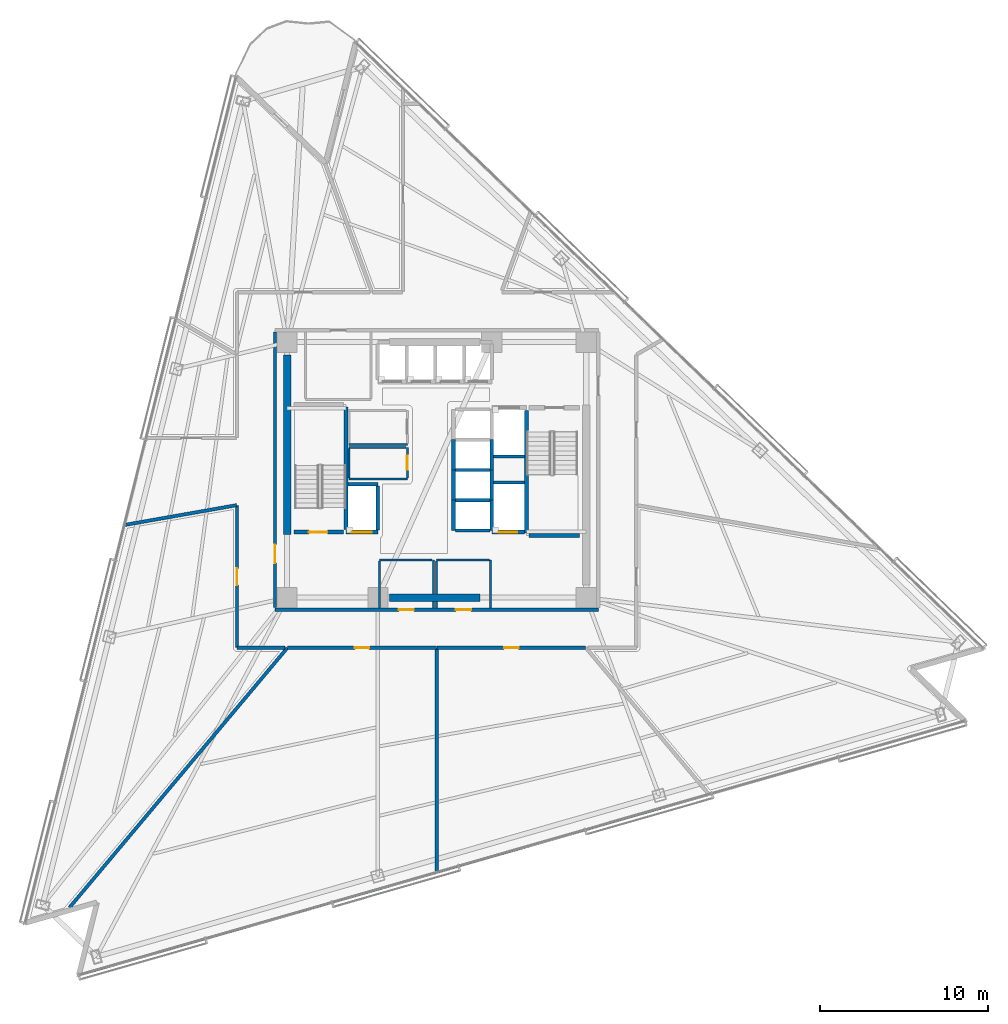
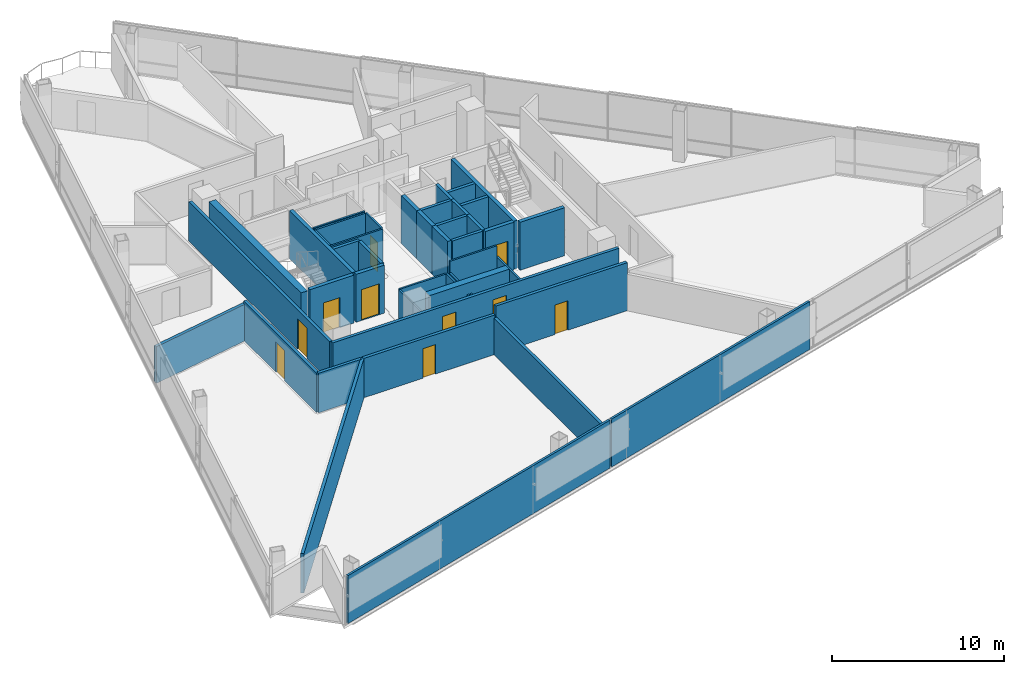
# One storey, part 9 of 19: 45 walls, 10 doors, 10 openings.
"""IFC4 building model written with IfcOpenShell, lengths in metres."""

from ifc_helpers import new_model, si_unit, direction, frame, frame_2d, origin, place, context, subcontext, project, spatial, rectangle, extrude, material, layer, layer_set, type_object, element, fill, save


model = new_model("IFC4")

# Units and contexts
model_context = context("Model", 3, precision=1e-05, world=origin(), true_north=direction((0.0, 1.0)))
body_context = subcontext(model_context, "Body", "Model", "MODEL_VIEW")
ifc_project = project(units=[si_unit("LENGTHUNIT", "METRE"), si_unit("AREAUNIT", "SQUARE_METRE"), si_unit("VOLUMEUNIT", "CUBIC_METRE"), si_unit("PLANEANGLEUNIT", "RADIAN"), si_unit("MASSUNIT", "GRAM", prefix="KILO")], contexts=[model_context])

# Site, building, storey
site_placement = place(None, origin())
site = spatial("IfcSite", under=ifc_project, at=site_placement, CompositionType="ELEMENT")
building_placement = place(site_placement, origin())
building = spatial("IfcBuilding", under=site, at=building_placement, Name="Tharavind Bronze Gate", CompositionType="ELEMENT")
storey_placement = place(building_placement, frame((0.0, 0.0, 89.699951171875)))
storey = spatial("IfcBuildingStorey", under=building, at=storey_placement, Name="L22", CompositionType="ELEMENT", Elevation=89.699951171875)

# Wall, openings, doors
ifc_material_1 = material(Name="Aerated Concrete Block", Category="concrete")
ifc_layer_1 = layer(ifc_material_1, 0.199951171875)
ifc_layer_set_1 = layer_set([ifc_layer_1], Name="Aerated Concrete Block")
wall_type_1 = type_object("IfcWallType", Name="FIRE RATED PARTITION 200", PredefinedType="PARTITIONING", material=ifc_layer_set_1)
wall_1_placement = place(storey_placement, frame((-9.6201171875, -8.320068359375, 0.0), z_axis=(0.0, 0.0, 1.0), x_axis=(1.0, 0.0, 0.0)))
wall_1 = element("IfcWall", 1, at=wall_1_placement, inside=storey, type_object=wall_type_1, Name="L22 south core corridor wall", PredefinedType="PARTITIONING", context=body_context, shape_type="SweptSolid", body=[
    extrude(rectangle(XDim=19.240234375, YDim=0.199951171875, at=frame_2d((9.6201171875, 0.0))), origin(), (0.0, 0.0, 1.0), 2.804931640625),
])
opening_1_placement = place(wall_1_placement, frame((7.3701171875, 0.0, 0.0)))
opening_1 = element("IfcOpeningElement", 2, at=opening_1_placement, cuts=wall_1, Name="Opening ID07", PredefinedType="OPENING", context=body_context, shape_type="SweptSolid", body=[
    extrude(rectangle(XDim=0.89990234375, YDim=2.10009765625, at=frame_2d((0.449951171875, 1.050048828125))), frame((0.0, 0.11009765625, 0.0), z_axis=(0.0, -1.0, 0.0), x_axis=(1.0, 0.0, 0.0)), (0.0, 0.0, 1.0), 0.219951171875),
])
opening_2_placement = place(wall_1_placement, frame((10.77001953125, 0.0, 0.0)))
opening_2 = element("IfcOpeningElement", 3, at=opening_2_placement, cuts=wall_1, Name="Opening ID07", PredefinedType="OPENING", context=body_context, shape_type="SweptSolid", body=[
    extrude(rectangle(XDim=0.89990234375, YDim=2.10009765625, at=frame_2d((0.449951171875, 1.050048828125))), frame((0.0, 0.11009765625, 0.0), z_axis=(0.0, -1.0, 0.0), x_axis=(1.0, 0.0, 0.0)), (0.0, 0.0, 1.0), 0.219951171875),
])
ifc_material_2 = material(Name="Galvanised Fire Steel", Category="steel")
door_type_1 = type_object("IfcDoorType", Name="PLANT AND RISER FIRE DOOR 900X2100", OperationType="SINGLE_SWING_LEFT", PredefinedType="DOOR", material=ifc_material_2)
door_1_placement = place(opening_1_placement, frame((0.89990234375, 0.0, 0.0), z_axis=(0.0, 0.0, 1.0), x_axis=(-1.0, 0.0, 0.0)))
door_1 = element("IfcDoor", 4, at=door_1_placement, inside=storey, type_object=door_type_1, Name="L22 Core Archive Store fire door", OperationType="SINGLE_SWING_LEFT", OverallHeight=2.10009765625, OverallWidth=0.89990234375, PredefinedType="DOOR", context=body_context, shape_type="SweptSolid", body=[
    extrude(rectangle(XDim=0.89990234375, YDim=2.10009765625, at=frame_2d((0.449951171875, 1.050048828125))), frame((0.0, 0.02490234375, 0.0), z_axis=(0.0, -1.0, 0.0), x_axis=(1.0, 0.0, 0.0)), (0.0, 0.0, 1.0), 0.050048828125),
])
fill(opening_1, door_1)
door_2_placement = place(opening_2_placement, frame((0.89990234375, 0.0, 0.0), z_axis=(0.0, 0.0, 1.0), x_axis=(-1.0, 0.0, 0.0)))
door_2 = element("IfcDoor", 5, at=door_2_placement, inside=storey, type_object=door_type_1, Name="L22 Core Server Room fire door", OperationType="SINGLE_SWING_LEFT", OverallHeight=2.10009765625, OverallWidth=0.89990234375, PredefinedType="DOOR", context=body_context, shape_type="SweptSolid", body=[
    extrude(rectangle(XDim=0.89990234375, YDim=2.10009765625, at=frame_2d((0.449951171875, 1.050048828125))), frame((0.0, 0.02490234375, 0.0), z_axis=(0.0, -1.0, 0.0), x_axis=(1.0, 0.0, 0.0)), (0.0, 0.0, 1.0), 0.050048828125),
])
fill(opening_2, door_2)

# Wall, opening, door
wall_2_placement = place(storey_placement, frame((-9.6201171875, 8.199951171875, 0.0), z_axis=(0.0, 0.0, 1.0), x_axis=(0.0, -1.0, 0.0)))
wall_2 = element("IfcWall", 6, at=wall_2_placement, inside=storey, type_object=wall_type_1, Name="L22 west core corridor wall", PredefinedType="PARTITIONING", context=body_context, shape_type="SweptSolid", body=[
    extrude(rectangle(XDim=16.39990234375, YDim=0.199951171875, at=frame_2d((8.199951171875, 0.0))), origin(), (0.0, 0.0, 1.0), 2.804931640625),
])
opening_3_placement = place(wall_2_placement, frame((12.64990234375, 0.0, 0.0)))
opening_3 = element("IfcOpeningElement", 7, at=opening_3_placement, cuts=wall_2, Name="Opening ID01", PredefinedType="OPENING", context=body_context, shape_type="SweptSolid", body=[
    extrude(rectangle(XDim=1.10009765625, YDim=2.14990234375, at=frame_2d((0.550048828125, 1.074951171875))), frame((0.0, 0.11009765625, 0.0), z_axis=(0.0, -1.0, 0.0), x_axis=(1.0, 0.0, 0.0)), (0.0, 0.0, 1.0), 0.219951171875),
])
ifc_material_3 = material(Name="Fire-Rated Steel", Category="steel")
door_type_2 = type_object("IfcDoorType", Name="STAIR CORE FIRE DOOR 1100X2150", OperationType="SINGLE_SWING_LEFT", PredefinedType="DOOR", material=ifc_material_3)
door_3_placement = place(opening_3_placement, frame((1.10009765625, 0.0, 0.0), z_axis=(0.0, 0.0, 1.0), x_axis=(-1.0, 0.0, 0.0)))
door_3 = element("IfcDoor", 8, at=door_3_placement, inside=storey, type_object=door_type_2, Name="L22 south west stair lobby fire door", OperationType="SINGLE_SWING_LEFT", OverallHeight=2.14990234375, OverallWidth=1.10009765625, PredefinedType="DOOR", context=body_context, shape_type="SweptSolid", body=[
    extrude(rectangle(XDim=1.10009765625, YDim=2.14990234375, at=frame_2d((0.550048828125, 1.074951171875))), frame((0.0, 0.02490234375, 0.0), z_axis=(0.0, -1.0, 0.0), x_axis=(1.0, 0.0, 0.0)), (0.0, 0.0, 1.0), 0.050048828125),
])
fill(opening_3, door_3)

# Wall
wall_3_placement = place(storey_placement, frame((-21.8564453125, -26.04736328125, 0.0), z_axis=(0.0, 0.0, 1.0), x_axis=(0.642786825555, 0.766045101082, 0.0)))
element("IfcWall", 9, at=wall_3_placement, inside=storey, type_object=wall_type_1, Name="L22 Public Restrooms Block partition", PredefinedType="PARTITIONING", context=body_context, shape_type="SweptSolid", body=[
    extrude(rectangle(XDim=20.1796875, YDim=0.199951171875, at=frame_2d((10.08984375, 0.0))), origin(), (0.0, 0.0, 1.0), 2.804931640625),
])

# Wall, opening, door
wall_4_placement = place(storey_placement, frame((-8.865966796875, -10.580078125, 0.0), z_axis=(0.0, 0.0, 1.0), x_axis=(1.0, 0.0, 0.0)))
wall_4 = element("IfcWall", 10, at=wall_4_placement, inside=storey, type_object=wall_type_1, Name="L22 Public Restrooms Block partition", PredefinedType="PARTITIONING", context=body_context, shape_type="SweptSolid", body=[
    extrude(rectangle(XDim=8.841064453125, YDim=0.199951171875, at=frame_2d((4.42041015625, 0.0))), origin(), (0.0, 0.0, 1.0), 2.804931640625),
])
opening_4_placement = place(wall_4_placement, frame((3.9951171875, 0.0, 0.0)))
opening_4 = element("IfcOpeningElement", 11, at=opening_4_placement, cuts=wall_4, Name="Opening ID06", PredefinedType="OPENING", context=body_context, shape_type="SweptSolid", body=[
    extrude(rectangle(XDim=0.85009765625, YDim=2.10009765625, at=frame_2d((0.425048828125, 1.050048828125))), frame((0.0, 0.11009765625, 0.0), z_axis=(0.0, -1.0, 0.0), x_axis=(1.0, 0.0, 0.0)), (0.0, 0.0, 1.0), 0.219951171875),
])
ifc_material_4 = material(Name="Moisture-Resistant Timber", Category="wood")
door_type_3 = type_object("IfcDoorType", Name="BATHROOM PRIVACY DOOR 850X2100", OperationType="SINGLE_SWING_RIGHT", PredefinedType="DOOR", material=ifc_material_4)
door_4_placement = place(opening_4_placement, origin())
door_4 = element("IfcDoor", 12, at=door_4_placement, inside=storey, type_object=door_type_3, Name="L22 Public Restrooms Block door", OperationType="SINGLE_SWING_RIGHT", OverallHeight=2.10009765625, OverallWidth=0.85009765625, PredefinedType="DOOR", context=body_context, shape_type="SweptSolid", body=[
    extrude(rectangle(XDim=0.85009765625, YDim=2.10009765625, at=frame_2d((0.425048828125, 1.050048828125))), frame((0.0, 0.02490234375, 0.0), z_axis=(0.0, -1.0, 0.0), x_axis=(1.0, 0.0, 0.0)), (0.0, 0.0, 1.0), 0.050048828125),
])
fill(opening_4, door_4)

# Wall
wall_5_placement = place(storey_placement, frame((0.0, -10.60498046875, 0.0), z_axis=(0.0, 0.0, 1.0), x_axis=(0.0, -1.0, 0.0)))
element("IfcWall", 13, at=wall_5_placement, inside=storey, type_object=wall_type_1, Name="L22 Public Restrooms Block partition", PredefinedType="PARTITIONING", context=body_context, shape_type="SweptSolid", body=[
    extrude(rectangle(XDim=13.317626953125, YDim=0.199951171875, at=frame_2d((6.65869140625, 0.0))), origin(), (0.0, 0.0, 1.0), 2.60498046875),
])

# Wall, opening, door
wall_6_placement = place(storey_placement, frame((0.02490234375, -10.580078125, 0.0), z_axis=(0.0, 0.0, 1.0), x_axis=(1.0, 0.0, 0.0)))
wall_6 = element("IfcWall", 14, at=wall_6_placement, inside=storey, type_object=wall_type_1, Name="L22 Public Restrooms Block partition", PredefinedType="PARTITIONING", context=body_context, shape_type="SweptSolid", body=[
    extrude(rectangle(XDim=8.841064453125, YDim=0.199951171875, at=frame_2d((4.42041015625, 0.0))), origin(), (0.0, 0.0, 1.0), 3.41015625),
])
opening_5_placement = place(wall_6_placement, frame((3.9951171875, 0.0, 0.0)))
opening_5 = element("IfcOpeningElement", 15, at=opening_5_placement, cuts=wall_6, Name="Opening ID06", PredefinedType="OPENING", context=body_context, shape_type="SweptSolid", body=[
    extrude(rectangle(XDim=0.85009765625, YDim=2.10009765625, at=frame_2d((0.425048828125, 1.050048828125))), frame((0.0, 0.11009765625, 0.0), z_axis=(0.0, -1.0, 0.0), x_axis=(1.0, 0.0, 0.0)), (0.0, 0.0, 1.0), 0.219951171875),
])
door_5_placement = place(opening_5_placement, origin())
door_5 = element("IfcDoor", 16, at=door_5_placement, inside=storey, type_object=door_type_3, Name="L22 Public Restrooms Block door", OperationType="SINGLE_SWING_RIGHT", OverallHeight=2.10009765625, OverallWidth=0.85009765625, PredefinedType="DOOR", context=body_context, shape_type="SweptSolid", body=[
    extrude(rectangle(XDim=0.85009765625, YDim=2.10009765625, at=frame_2d((0.425048828125, 1.050048828125))), frame((0.0, 0.02490234375, 0.0), z_axis=(0.0, -1.0, 0.0), x_axis=(1.0, 0.0, 0.0)), (0.0, 0.0, 1.0), 0.050048828125),
])
fill(opening_5, door_5)

# Wall
wall_7_placement = place(storey_placement, frame((-18.5673828125, -3.27392578125, 0.0), z_axis=(0.0, 0.0, 1.0), x_axis=(0.984806452584, 0.173655552599, 0.0)))
element("IfcWall", 17, at=wall_7_placement, inside=storey, type_object=wall_type_1, Name="L22 Open Office partition", PredefinedType="PARTITIONING", context=body_context, shape_type="SweptSolid", body=[
    extrude(rectangle(XDim=6.760986328125, YDim=0.199951171875, at=frame_2d((3.38037109375, 0.0))), origin(), (0.0, 0.0, 1.0), 2.60498046875),
])

# Wall, opening, door
wall_8_placement = place(storey_placement, frame((-11.8798828125, -2.12451171875, 0.0), z_axis=(0.0, 0.0, 1.0), x_axis=(0.0, -1.0, 0.0)))
wall_8 = element("IfcWall", 18, at=wall_8_placement, inside=storey, type_object=wall_type_1, Name="L22 Open Office partition", PredefinedType="PARTITIONING", context=body_context, shape_type="SweptSolid", body=[
    extrude(rectangle(XDim=8.454833984375, YDim=0.199951171875, at=frame_2d((4.2275390625, 0.0))), origin(), (0.0, 0.0, 1.0), 2.804931640625),
])
opening_6_placement = place(wall_8_placement, frame((3.72705078125, 0.0, 0.0)))
opening_6 = element("IfcOpeningElement", 19, at=opening_6_placement, cuts=wall_8, Name="Opening ID04", PredefinedType="OPENING", context=body_context, shape_type="SweptSolid", body=[
    extrude(rectangle(XDim=1.0, YDim=2.14990234375, at=frame_2d((0.5, 1.074951171875))), frame((0.0, 0.11009765625, 0.0), z_axis=(0.0, -1.0, 0.0), x_axis=(1.0, 0.0, 0.0)), (0.0, 0.0, 1.0), 0.219951171875),
])
ifc_material_5 = material(Name="Bronze Framed Acoustic Timber", Category="wood")
door_type_4 = type_object("IfcDoorType", Name="OFFICE TENANCY DOOR 1000X2150", OperationType="SINGLE_SWING_RIGHT", PredefinedType="DOOR", material=ifc_material_5)
door_6_placement = place(opening_6_placement, origin())
door_6 = element("IfcDoor", 20, at=door_6_placement, inside=storey, type_object=door_type_4, Name="L22 Open Office door", OperationType="SINGLE_SWING_RIGHT", OverallHeight=2.14990234375, OverallWidth=1.0, PredefinedType="DOOR", context=body_context, shape_type="SweptSolid", body=[
    extrude(rectangle(XDim=1.0, YDim=2.14990234375, at=frame_2d((0.5, 1.074951171875))), frame((0.0, 0.02490234375, 0.0), z_axis=(0.0, -1.0, 0.0), x_axis=(1.0, 0.0, 0.0)), (0.0, 0.0, 1.0), 0.050048828125),
])
fill(opening_6, door_6)

# Walls
wall_9_placement = place(storey_placement, frame((-11.87939453125, -10.580078125, 0.0), z_axis=(0.0, 0.0, 1.0), x_axis=(1.0, 0.0, 0.0)))
element("IfcWall", 21, at=wall_9_placement, inside=storey, type_object=wall_type_1, Name="L22 Open Office partition", PredefinedType="PARTITIONING", context=body_context, shape_type="SweptSolid", body=[
    extrude(rectangle(XDim=2.864501953125, YDim=0.199951171875, at=frame_2d((1.43212890625, 0.0))), origin(), (0.0, 0.0, 1.0), 2.804931640625),
])
ifc_material_6 = material(Name="Metal Stud Gypsum Partition", Category="gypsum")
ifc_layer_2 = layer(ifc_material_6, 0.1201171875)
ifc_layer_set_2 = layer_set([ifc_layer_2], Name="Metal Stud Gypsum Partition")
wall_type_2 = type_object("IfcWallType", Name="INTERIOR PARTITION WALL 120", PredefinedType="PARTITIONING", material=ifc_layer_set_2)
for number, where, z_axis, x_axis, name in (
    (22, (-5.219970703125, 1.52001953125, 0.0), (0.0, 0.0, 1.0), (1.0, 0.0, 0.0), "L22 Cleaner Store Room partition 1"),
    (23, (-5.219970703125, -0.550048828125, 0.0), (0.0, 0.0, 1.0), (1.0, 0.0, 0.0), "L22 Electrical Switch Room partition 1"),
):
    element("IfcWall", number, at=place(storey_placement, frame(where, z_axis=z_axis, x_axis=x_axis)), inside=storey, type_object=wall_type_2, Name=name, PredefinedType="PARTITIONING", context=body_context, shape_type="SweptSolid", body=[
        extrude(rectangle(XDim=3.469970703125, YDim=0.1201171875, at=frame_2d((1.73486328125, 0.0))), origin(), (0.0, 0.0, 1.0), 3.41015625),
    ])

# Wall, opening, door
wall_10_placement = place(storey_placement, frame((-1.75, -0.485107421875, 0.0), z_axis=(0.0, 0.0, 1.0), x_axis=(0.0, 1.0, 0.0)))
wall_10 = element("IfcWall", 24, at=wall_10_placement, inside=storey, type_object=wall_type_2, Name="L22 Electrical Switch Room partition 2", PredefinedType="PARTITIONING", context=body_context, shape_type="SweptSolid", body=[
    extrude(rectangle(XDim=1.8251953125, YDim=0.1201171875, at=frame_2d((0.91259765625, 0.0))), origin(), (0.0, 0.0, 1.0), 3.41015625),
])
opening_7_placement = place(wall_10_placement, frame((0.488037109375, 0.0, 0.0)))
opening_7 = element("IfcOpeningElement", 25, at=opening_7_placement, cuts=wall_10, Name="Opening ID06", PredefinedType="OPENING", context=body_context, shape_type="SweptSolid", body=[
    extrude(rectangle(XDim=0.85009765625, YDim=2.10009765625, at=frame_2d((0.425048828125, 1.050048828125))), frame((0.0, 0.07005859375, 0.0), z_axis=(0.0, -1.0, 0.0), x_axis=(1.0, 0.0, 0.0)), (0.0, 0.0, 1.0), 0.1401171875),
])
door_7_placement = place(opening_7_placement, frame((0.85009765625, 0.0, 0.0), z_axis=(0.0, 0.0, 1.0), x_axis=(-1.0, 0.0, 0.0)))
door_7 = element("IfcDoor", 26, at=door_7_placement, inside=storey, type_object=door_type_3, Name="L22 Electrical Switch Room door", OperationType="SINGLE_SWING_RIGHT", OverallHeight=2.10009765625, OverallWidth=0.85009765625, PredefinedType="DOOR", context=body_context, shape_type="SweptSolid", body=[
    extrude(rectangle(XDim=0.85009765625, YDim=2.10009765625, at=frame_2d((0.425048828125, 1.050048828125))), frame((0.0, 0.02490234375, 0.0), z_axis=(0.0, -1.0, 0.0), x_axis=(1.0, 0.0, 0.0)), (0.0, 0.0, 1.0), 0.050048828125),
])
fill(opening_7, door_7)

# Walls
wall_11_placement = place(storey_placement, frame((-1.81494140625, 1.340087890625, 0.0), z_axis=(0.0, 0.0, 1.0), x_axis=(-1.0, 0.0, 0.0)))
element("IfcWall", 27, at=wall_11_placement, inside=storey, type_object=wall_type_2, Name="L22 Electrical Switch Room partition 3", PredefinedType="PARTITIONING", context=body_context, shape_type="SweptSolid", body=[
    extrude(rectangle(XDim=3.405029296875, YDim=0.1201171875, at=frame_2d((1.70263671875, 0.0))), origin(), (0.0, 0.0, 1.0), 3.41015625),
])
wall_12_placement = place(storey_placement, frame((-5.219970703125, 1.27490234375, 0.0), z_axis=(0.0, 0.0, 1.0), x_axis=(0.0, -1.0, 0.0)))
element("IfcWall", 28, at=wall_12_placement, inside=storey, type_object=wall_type_2, Name="L22 Electrical Switch Room partition 4", PredefinedType="PARTITIONING", context=body_context, shape_type="SweptSolid", body=[
    extrude(rectangle(XDim=1.760009765625, YDim=0.1201171875, at=frame_2d((0.8798828125, 0.0))), origin(), (0.0, 0.0, 1.0), 3.41015625),
])
wall_13_placement = place(storey_placement, frame((-0.199951171875, -8.215087890625, 0.0), z_axis=(0.0, 0.0, 1.0), x_axis=(0.0, 1.0, 0.0)))
element("IfcWall", 29, at=wall_13_placement, inside=storey, type_object=wall_type_2, Name="L22 Core Archive Store partition 2", PredefinedType="PARTITIONING", context=body_context, shape_type="SweptSolid", body=[
    extrude(rectangle(XDim=0.385009765625, YDim=0.1201171875, at=frame_2d((0.1923828125, 0.0))), origin(), (0.0, 0.0, 1.0), 2.60498046875),
])
wall_14_placement = place(storey_placement, frame((-0.199951171875, -7.3701171875, 0.0), z_axis=(0.0, 0.0, 1.0), x_axis=(0.0, 1.0, 0.0)))
element("IfcWall", 30, at=wall_14_placement, inside=storey, type_object=wall_type_2, Name="L22 Core Archive Store partition 2", PredefinedType="PARTITIONING", context=body_context, shape_type="SweptSolid", body=[
    extrude(rectangle(XDim=2.02001953125, YDim=0.1201171875, at=frame_2d((1.010009765625, 0.0))), origin(), (0.0, 0.0, 1.0), 2.60498046875),
])
wall_15_placement = place(storey_placement, frame((-0.264892578125, -5.35009765625, 0.0), z_axis=(0.0, 0.0, 1.0), x_axis=(-1.0, 0.0, 0.0)))
element("IfcWall", 31, at=wall_15_placement, inside=storey, type_object=wall_type_2, Name="L22 Core Archive Store partition 3", PredefinedType="PARTITIONING", context=body_context, shape_type="SweptSolid", body=[
    extrude(rectangle(XDim=3.135009765625, YDim=0.1201171875, at=frame_2d((1.5673828125, 0.0))), origin(), (0.0, 0.0, 1.0), 2.60498046875),
])
wall_16_placement = place(storey_placement, frame((-3.39990234375, -5.4150390625, 0.0), z_axis=(0.0, 0.0, 1.0), x_axis=(0.0, -1.0, 0.0)))
element("IfcWall", 32, at=wall_16_placement, inside=storey, type_object=wall_type_2, Name="L22 Core Archive Store partition 4", PredefinedType="PARTITIONING", context=body_context, shape_type="SweptSolid", body=[
    extrude(rectangle(XDim=2.800048828125, YDim=0.1201171875, at=frame_2d((1.39990234375, 0.0))), origin(), (0.0, 0.0, 1.0), 2.60498046875),
])
wall_17_placement = place(storey_placement, frame((3.199951171875, -8.215087890625, 0.0), z_axis=(0.0, 0.0, 1.0), x_axis=(0.0, 1.0, 0.0)))
element("IfcWall", 33, at=wall_17_placement, inside=storey, type_object=wall_type_2, Name="L22 Core Server Room partition 2", PredefinedType="PARTITIONING", context=body_context, shape_type="SweptSolid", body=[
    extrude(rectangle(XDim=2.864990234375, YDim=0.1201171875, at=frame_2d((1.4326171875, 0.0))), origin(), (0.0, 0.0, 1.0), 2.60498046875),
])
wall_18_placement = place(storey_placement, frame((3.135009765625, -5.35009765625, 0.0), z_axis=(0.0, 0.0, 1.0), x_axis=(-1.0, 0.0, 0.0)))
element("IfcWall", 34, at=wall_18_placement, inside=storey, type_object=wall_type_2, Name="L22 Core Server Room partition 3", PredefinedType="PARTITIONING", context=body_context, shape_type="SweptSolid", body=[
    extrude(rectangle(XDim=3.135009765625, YDim=0.1201171875, at=frame_2d((1.5673828125, 0.0))), origin(), (0.0, 0.0, 1.0), 3.41015625),
])
wall_19_placement = place(storey_placement, frame((0.0, -5.4150390625, 0.0), z_axis=(0.0, 0.0, 1.0), x_axis=(0.0, -1.0, 0.0)))
element("IfcWall", 35, at=wall_19_placement, inside=storey, type_object=wall_type_2, Name="L22 Core Server Room partition 4", PredefinedType="PARTITIONING", context=body_context, shape_type="SweptSolid", body=[
    extrude(rectangle(XDim=1.955078125, YDim=0.1201171875, at=frame_2d((0.9775390625, 0.0))), origin(), (0.0, 0.0, 1.0), 2.60498046875),
])
wall_20_placement = place(storey_placement, frame((0.0, -7.830078125, 0.0), z_axis=(0.0, 0.0, 1.0), x_axis=(0.0, -1.0, 0.0)))
element("IfcWall", 36, at=wall_20_placement, inside=storey, type_object=wall_type_2, Name="L22 Core Server Room partition 4", PredefinedType="PARTITIONING", context=body_context, shape_type="SweptSolid", body=[
    extrude(rectangle(XDim=0.385009765625, YDim=0.1201171875, at=frame_2d((0.1923828125, 0.0))), origin(), (0.0, 0.0, 1.0), 2.60498046875),
])
ifc_material_7 = material(Name="Twin Stud Acoustic Gypsum", Category="gypsum")
ifc_layer_3 = layer(ifc_material_7, 0.14990234375)
ifc_layer_set_3 = layer_set([ifc_layer_3], Name="Twin Stud Acoustic Gypsum")
wall_type_3 = type_object("IfcWallType", Name="INTERIOR PARTITION WALL 150", PredefinedType="PARTITIONING", material=ifc_layer_set_3)
wall_21_placement = place(storey_placement, frame((-0.01806640625, -23.946533203125, 0.0), z_axis=(0.0, 0.0, 1.0), x_axis=(-0.961260414639, -0.2756418242, 0.0)))
element("IfcWall", 37, at=wall_21_placement, inside=storey, type_object=wall_type_3, Name="L22 Public Restrooms Block partition", PredefinedType="PARTITIONING", context=body_context, shape_type="SweptSolid", body=[
    extrude(rectangle(XDim=21.9560546875, YDim=0.14990234375, at=frame_2d((10.97802734375, 0.0))), origin(), (0.0, 0.0, 1.0), 3.41015625),
])
wall_22_placement = place(storey_placement, frame((16.082763671875, -19.329833984375, 0.0), z_axis=(0.0, 0.0, 1.0), x_axis=(-0.961261897418, -0.275636653174, 0.0)))
element("IfcWall", 38, at=wall_22_placement, inside=storey, type_object=wall_type_3, Name="L22 Public Restrooms Block partition", PredefinedType="PARTITIONING", context=body_context, shape_type="SweptSolid", body=[
    extrude(rectangle(XDim=16.62158203125, YDim=0.14990234375, at=frame_2d((8.310791015625, 0.0))), origin(), (0.0, 0.0, 1.0), 3.41015625),
])
ifc_material_8 = material(Name="Concrete C50/60", Category="concrete")
ifc_layer_4 = layer(ifc_material_8, 0.25)
ifc_layer_set_4 = layer_set([ifc_layer_4], Name="Concrete C50/60")
wall_type_4 = type_object("IfcWallType", Name="RC CORE SHEAR WALL 250", PredefinedType="SHEAR", material=ifc_layer_set_4)
wall_23_placement = place(storey_placement, frame((-5.39990234375, -3.550048828125, 0.0), z_axis=(0.0, 0.0, 1.0), x_axis=(0.0, 1.0, 0.0)))
element("IfcWall", 39, at=wall_23_placement, inside=storey, type_object=wall_type_4, Name="L22 ST1 shaft east wall", PredefinedType="SHEAR", context=body_context, shape_type="SweptSolid", body=[
    extrude(rectangle(XDim=7.300048828125, YDim=0.25, at=frame_2d((3.64990234375, 0.0))), origin(), (0.0, 0.0, 1.0), 3.41015625),
])

# Wall, opening, door
wall_24_placement = place(storey_placement, frame((-8.5, -3.699951171875, 0.0), z_axis=(0.0, 0.0, 1.0), x_axis=(1.0, 0.0, 0.0)))
wall_24 = element("IfcWall", 40, at=wall_24_placement, inside=storey, type_object=wall_type_4, Name="L22 ST1 shaft south wall", PredefinedType="SHEAR", context=body_context, shape_type="SweptSolid", body=[
    extrude(rectangle(XDim=2.949951171875, YDim=0.25, at=frame_2d((1.47509765625, 0.0))), origin(), (0.0, 0.0, 1.0), 3.41015625),
])
opening_8_placement = place(wall_24_placement, frame((0.89990234375, 0.0, 0.0)))
opening_8 = element("IfcOpeningElement", 41, at=opening_8_placement, cuts=wall_24, Name="Opening ID01", PredefinedType="OPENING", context=body_context, shape_type="SweptSolid", body=[
    extrude(rectangle(XDim=1.10009765625, YDim=2.14990234375, at=frame_2d((0.550048828125, 1.074951171875))), frame((0.0, 0.135, 0.0), z_axis=(0.0, -1.0, 0.0), x_axis=(1.0, 0.0, 0.0)), (0.0, 0.0, 1.0), 0.27),
])
door_8_placement = place(opening_8_placement, origin())
door_8 = element("IfcDoor", 42, at=door_8_placement, inside=storey, type_object=door_type_2, Name="L22 exit stair ST1 fire door", OperationType="SINGLE_SWING_LEFT", OverallHeight=2.14990234375, OverallWidth=1.10009765625, PredefinedType="DOOR", context=body_context, shape_type="SweptSolid", body=[
    extrude(rectangle(XDim=1.10009765625, YDim=2.14990234375, at=frame_2d((0.550048828125, 1.074951171875))), frame((0.0, 0.02490234375, 0.0), z_axis=(0.0, -1.0, 0.0), x_axis=(1.0, 0.0, 0.0)), (0.0, 0.0, 1.0), 0.050048828125),
])
fill(opening_8, door_8)

# Walls
wall_25_placement = place(storey_placement, frame((5.35009765625, -3.75, 0.0), z_axis=(0.0, 0.0, 1.0), x_axis=(0.0, 1.0, 0.0)))
element("IfcWall", 43, at=wall_25_placement, inside=storey, type_object=wall_type_4, Name="L22 ST2 shaft west wall", PredefinedType="SHEAR", context=body_context, shape_type="SweptSolid", body=[
    extrude(rectangle(XDim=7.300048828125, YDim=0.25, at=frame_2d((3.64990234375, 0.0))), origin(), (0.0, 0.0, 1.0), 3.41015625),
])
wall_26_placement = place(storey_placement, frame((5.5, -3.89990234375, 0.0), z_axis=(0.0, 0.0, 1.0), x_axis=(1.0, 0.0, 0.0)))
element("IfcWall", 44, at=wall_26_placement, inside=storey, type_object=wall_type_4, Name="L22 ST2 shaft south wall", PredefinedType="SHEAR", context=body_context, shape_type="SweptSolid", body=[
    extrude(rectangle(XDim=3.0, YDim=0.25, at=frame_2d((1.5, 0.0))), origin(), (0.0, 0.0, 1.0), 3.41015625),
])
for number, where, z_axis, x_axis, name in (
    (45, (1.0, -3.60009765625, 0.0), (0.0, 0.0, 1.0), (0.0, 1.0, 0.0), "L22 lift PL9 shaft front wall"),
    (46, (1.0, -1.800048828125, 0.0), (0.0, 0.0, 1.0), (0.0, 1.0, 0.0), "L22 lift PL10 shaft front wall"),
    (47, (1.0, 0.0, 0.0), (0.0, 0.0, 1.0), (0.0, 1.0, 0.0), "L22 lift PL11 shaft front wall"),
):
    element("IfcWall", number, at=place(storey_placement, frame(where, z_axis=z_axis, x_axis=x_axis)), inside=storey, type_object=wall_type_4, Name=name, PredefinedType="SHEAR", context=body_context, shape_type="SweptSolid", body=[
        extrude(rectangle(XDim=1.800048828125, YDim=0.25, at=frame_2d((0.89990234375, 0.0))), origin(), (0.0, 0.0, 1.0), 3.41015625),
    ])

# Wall, opening, door
wall_27_placement = place(storey_placement, frame((-5.39990234375, -3.699951171875, 0.0), z_axis=(0.0, 0.0, 1.0), x_axis=(1.0, 0.0, 0.0)))
wall_27 = element("IfcWall", 48, at=wall_27_placement, inside=storey, type_object=wall_type_4, Name="L22 lift FFL1 shaft front wall", PredefinedType="SHEAR", context=body_context, shape_type="SweptSolid", body=[
    extrude(rectangle(XDim=1.89990234375, YDim=0.25, at=frame_2d((0.949951171875, 0.0))), origin(), (0.0, 0.0, 1.0), 3.41015625),
])
opening_9_placement = place(wall_27_placement, frame((0.35009765625, 0.0, 0.0)))
opening_9 = element("IfcOpeningElement", 49, at=opening_9_placement, cuts=wall_27, Name="Opening LD02", PredefinedType="OPENING", context=body_context, shape_type="SweptSolid", body=[
    extrude(rectangle(XDim=1.199951171875, YDim=2.199951171875, at=frame_2d((0.60009765625, 1.10009765625))), frame((0.0, 0.135, 0.0), z_axis=(0.0, -1.0, 0.0), x_axis=(1.0, 0.0, 0.0)), (0.0, 0.0, 1.0), 0.27),
])
ifc_material_9 = material(Name="Brushed Stainless Steel", Category="steel")
door_type_5 = type_object("IfcDoorType", Name="FIREFIGHTING LIFT LANDING DOOR 1200X2200", OperationType="SLIDING_TO_RIGHT", PredefinedType="DOOR", material=ifc_material_9)
door_9_placement = place(opening_9_placement, origin())
door_9 = element("IfcDoor", 50, at=door_9_placement, inside=storey, type_object=door_type_5, Name="L22 lift FFL1 sliding landing door", OperationType="SLIDING_TO_RIGHT", OverallHeight=2.199951171875, OverallWidth=1.199951171875, PredefinedType="DOOR", context=body_context, shape_type="SweptSolid", body=[
    extrude(rectangle(XDim=1.199951171875, YDim=2.199951171875, at=frame_2d((0.60009765625, 1.10009765625))), frame((0.0, 0.02490234375, 0.0), z_axis=(0.0, -1.0, 0.0), x_axis=(1.0, 0.0, 0.0)), (0.0, 0.0, 1.0), 0.050048828125),
])
fill(opening_9, door_9)

wall_28_placement = place(storey_placement, frame((3.280029296875, -3.699951171875, 0.0), z_axis=(0.0, 0.0, 1.0), x_axis=(1.0, 0.0, 0.0)))
wall_28 = element("IfcWall", 51, at=wall_28_placement, inside=storey, type_object=wall_type_4, Name="L22 lift SVL1 shaft front wall", PredefinedType="SHEAR", context=body_context, shape_type="SweptSolid", body=[
    extrude(rectangle(XDim=1.93994140625, YDim=0.25, at=frame_2d((0.969970703125, 0.0))), origin(), (0.0, 0.0, 1.0), 3.41015625),
])
opening_10_placement = place(wall_28_placement, frame((0.419921875, 0.0, 0.0)))
opening_10 = element("IfcOpeningElement", 52, at=opening_10_placement, cuts=wall_28, Name="Opening LD01", PredefinedType="OPENING", context=body_context, shape_type="SweptSolid", body=[
    extrude(rectangle(XDim=1.10009765625, YDim=2.199951171875, at=frame_2d((0.550048828125, 1.10009765625))), frame((0.0, 0.135, 0.0), z_axis=(0.0, -1.0, 0.0), x_axis=(1.0, 0.0, 0.0)), (0.0, 0.0, 1.0), 0.27),
])
ifc_material_10 = material(Name="Brushed Bronze Stainless Steel", Category="steel")
door_type_6 = type_object("IfcDoorType", Name="LIFT LANDING SLIDING DOOR 1100X2200", OperationType="SLIDING_TO_LEFT", PredefinedType="DOOR", material=ifc_material_10)
door_10_placement = place(opening_10_placement, origin())
door_10 = element("IfcDoor", 53, at=door_10_placement, inside=storey, type_object=door_type_6, Name="L22 lift SVL1 sliding landing door", OperationType="SLIDING_TO_LEFT", OverallHeight=2.199951171875, OverallWidth=1.10009765625, PredefinedType="DOOR", context=body_context, shape_type="SweptSolid", body=[
    extrude(rectangle(XDim=1.10009765625, YDim=2.199951171875, at=frame_2d((0.550048828125, 1.10009765625))), frame((0.0, 0.02490234375, 0.0), z_axis=(0.0, -1.0, 0.0), x_axis=(1.0, 0.0, 0.0)), (0.0, 0.0, 1.0), 0.050048828125),
])
fill(opening_10, door_10)

# Walls
ifc_material_11 = material(Name="Concrete C60/75", Category="concrete")
ifc_layer_5 = layer(ifc_material_11, 0.449951171875)
ifc_layer_set_5 = layer_set([ifc_layer_5], Name="Concrete C60/75")
wall_type_5 = type_object("IfcWallType", Name="RC CORE SHEAR WALL 450", PredefinedType="SHEAR", material=ifc_layer_set_5)
wall_29_placement = place(storey_placement, frame((-2.800048828125, -7.60009765625, 0.0), z_axis=(0.0, 0.0, 1.0), x_axis=(1.0, 0.0, 0.0)))
element("IfcWall", 54, at=wall_29_placement, inside=storey, type_object=wall_type_5, Name="L22 south core shear wall", PredefinedType="SHEAR", context=body_context, shape_type="SweptSolid", body=[
    extrude(rectangle(XDim=5.380126953125, YDim=0.449951171875, at=frame_2d((2.68994140625, 0.0))), origin(), (0.0, 0.0, 1.0), 3.41015625),
])
wall_30_placement = place(storey_placement, frame((-8.89990234375, -3.85009765625, 0.0), z_axis=(0.0, 0.0, 1.0), x_axis=(0.0, 1.0, 0.0)))
element("IfcWall", 55, at=wall_30_placement, inside=storey, type_object=wall_type_5, Name="L22 west core shear wall", PredefinedType="SHEAR", context=body_context, shape_type="SweptSolid", body=[
    extrude(rectangle(XDim=10.7001953125, YDim=0.449951171875, at=frame_2d((5.35009765625, 0.0))), origin(), (0.0, 0.0, 1.0), 3.41015625),
])
ifc_material_12 = material(Name="Concrete C40/50", Category="concrete")
ifc_layer_6 = layer(ifc_material_12, 0.199951171875)
ifc_layer_set_6 = layer_set([ifc_layer_6], Name="Concrete C40/50")
wall_type_6 = type_object("IfcWallType", Name="SHAFT ENCLOSURE WALL 200", PredefinedType="PARTITIONING", material=ifc_layer_set_6)
wall_31_placement = place(storey_placement, frame((3.280029296875, -3.60009765625, 0.0), z_axis=(0.0, 0.0, 1.0), x_axis=(0.0, 1.0, 0.0)))
element("IfcWall", 56, at=wall_31_placement, inside=storey, type_object=wall_type_6, Name="L22 lift PL9 shaft E enclosure wall", PredefinedType="PARTITIONING", context=body_context, shape_type="SweptSolid", body=[
    extrude(rectangle(XDim=1.800048828125, YDim=0.199951171875, at=frame_2d((0.89990234375, 0.0))), origin(), (0.0, 0.0, 1.0), 3.41015625),
])
for number, where, z_axis, x_axis, name in (
    (57, (1.1298828125, -3.60009765625, 0.0), (0.0, 0.0, 1.0), (1.0, 0.0, 0.0), "L22 lift PL9 shaft S enclosure wall"),
    (58, (1.1298828125, -1.800048828125, 0.0), (0.0, 0.0, 1.0), (1.0, 0.0, 0.0), "L22 lift PL9 shaft N enclosure wall"),
):
    element("IfcWall", number, at=place(storey_placement, frame(where, z_axis=z_axis, x_axis=x_axis)), inside=storey, type_object=wall_type_6, Name=name, PredefinedType="PARTITIONING", context=body_context, shape_type="SweptSolid", body=[
        extrude(rectangle(XDim=2.045166015625, YDim=0.199951171875, at=frame_2d((1.0224609375, 0.0))), origin(), (0.0, 0.0, 1.0), 3.41015625),
    ])
wall_32_placement = place(storey_placement, frame((3.280029296875, -1.800048828125, 0.0), z_axis=(0.0, 0.0, 1.0), x_axis=(0.0, 1.0, 0.0)))
element("IfcWall", 59, at=wall_32_placement, inside=storey, type_object=wall_type_6, Name="L22 lift PL10 shaft E enclosure wall", PredefinedType="PARTITIONING", context=body_context, shape_type="SweptSolid", body=[
    extrude(rectangle(XDim=1.800048828125, YDim=0.199951171875, at=frame_2d((0.89990234375, 0.0))), origin(), (0.0, 0.0, 1.0), 3.41015625),
])
wall_33_placement = place(storey_placement, frame((1.1298828125, 0.0, 0.0), z_axis=(0.0, 0.0, 1.0), x_axis=(1.0, 0.0, 0.0)))
element("IfcWall", 60, at=wall_33_placement, inside=storey, type_object=wall_type_6, Name="L22 lift PL10 shaft N enclosure wall", PredefinedType="PARTITIONING", context=body_context, shape_type="SweptSolid", body=[
    extrude(rectangle(XDim=2.045166015625, YDim=0.199951171875, at=frame_2d((1.0224609375, 0.0))), origin(), (0.0, 0.0, 1.0), 3.41015625),
])
wall_34_placement = place(storey_placement, frame((3.280029296875, 0.0, 0.0), z_axis=(0.0, 0.0, 1.0), x_axis=(0.0, 1.0, 0.0)))
element("IfcWall", 61, at=wall_34_placement, inside=storey, type_object=wall_type_6, Name="L22 lift PL11 shaft E enclosure wall", PredefinedType="PARTITIONING", context=body_context, shape_type="SweptSolid", body=[
    extrude(rectangle(XDim=1.800048828125, YDim=0.199951171875, at=frame_2d((0.89990234375, 0.0))), origin(), (0.0, 0.0, 1.0), 3.41015625),
])
wall_35_placement = place(storey_placement, frame((-5.27001953125, -0.85009765625, 0.0), z_axis=(0.0, 0.0, 1.0), x_axis=(1.0, 0.0, 0.0)))
element("IfcWall", 62, at=wall_35_placement, inside=storey, type_object=wall_type_6, Name="L22 lift FFL1 shaft N enclosure wall", PredefinedType="PARTITIONING", context=body_context, shape_type="SweptSolid", body=[
    extrude(rectangle(XDim=1.77001953125, YDim=0.199951171875, at=frame_2d((0.885009765625, 0.0))), origin(), (0.0, 0.0, 1.0), 3.41015625),
])
wall_36_placement = place(storey_placement, frame((-3.5, -3.570068359375, 0.0), z_axis=(0.0, 0.0, 1.0), x_axis=(0.0, 1.0, 0.0)))
element("IfcWall", 63, at=wall_36_placement, inside=storey, type_object=wall_type_6, Name="L22 lift FFL1 shaft E enclosure wall", PredefinedType="PARTITIONING", context=body_context, shape_type="SweptSolid", body=[
    extrude(rectangle(XDim=2.614990234375, YDim=0.199951171875, at=frame_2d((1.3076171875, 0.0))), origin(), (0.0, 0.0, 1.0), 3.41015625),
])
for number, where, z_axis, x_axis, name in (
    (64, (3.385009765625, 0.800048828125, 0.0), (0.0, 0.0, 1.0), (1.0, 0.0, 0.0), "L22 lift FFL2 shaft S enclosure wall"),
    (65, (3.385009765625, -0.75, 0.0), (0.0, 0.0, 1.0), (1.0, 0.0, 0.0), "L22 lift SVL1 shaft N enclosure wall"),
):
    element("IfcWall", number, at=place(storey_placement, frame(where, z_axis=z_axis, x_axis=x_axis)), inside=storey, type_object=wall_type_6, Name=name, PredefinedType="PARTITIONING", context=body_context, shape_type="SweptSolid", body=[
        extrude(rectangle(XDim=1.8349609375, YDim=0.199951171875, at=frame_2d((0.91748046875, 0.0))), origin(), (0.0, 0.0, 1.0), 3.41015625),
    ])

save(model, "model.ifc")
